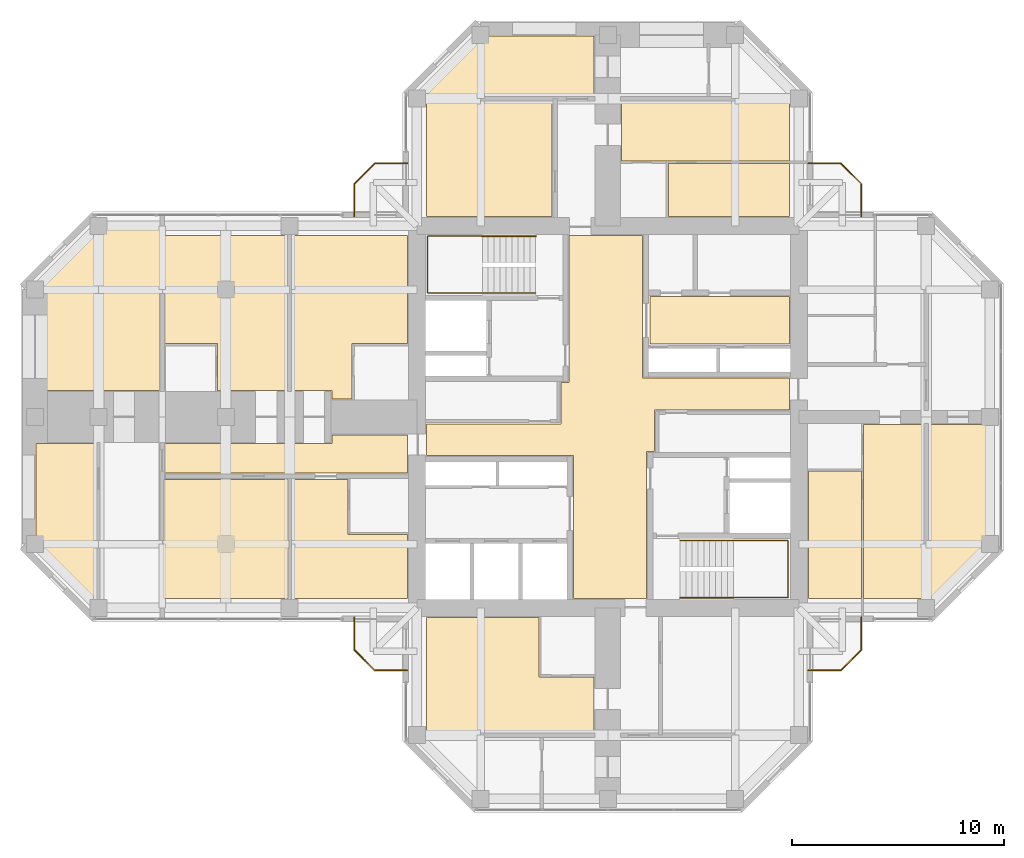
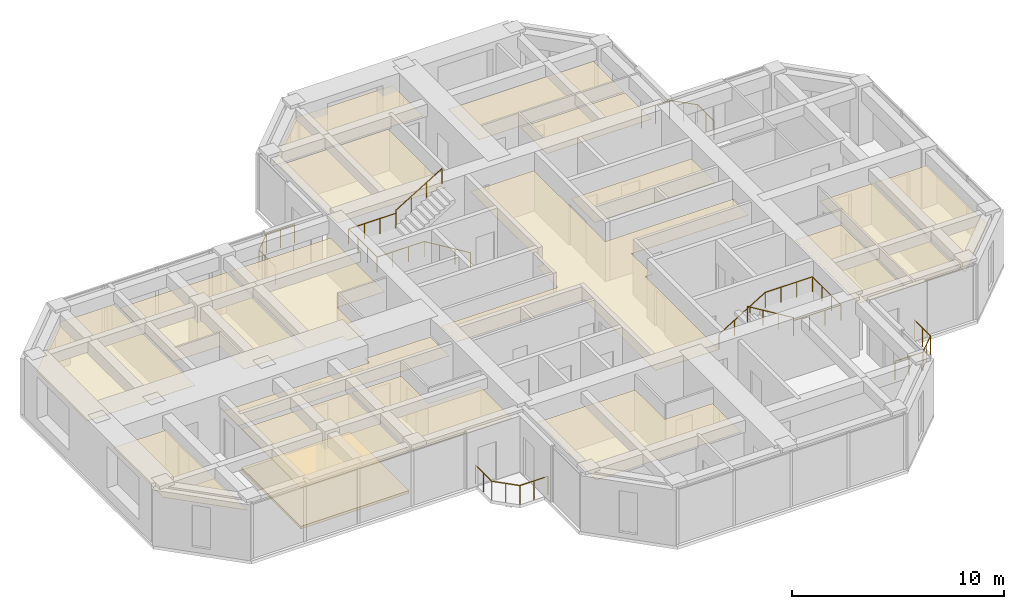
# One storey, part 13 of 13: 18 coverings, 8 railings.
"""IFC4 building model written with IfcOpenShell, lengths in metres."""

from ifc_helpers import new_model, si_unit, direction, frame, origin, origin_2d, place, context, subcontext, project, spatial, polyline, circle, outline, extrude, material, layer, layer_set, constituent, constituent_set, type_object, element, save


model = new_model("IFC4")

# Units and contexts
model_context = context("Model", 3, precision=1e-05, world=origin(), true_north=direction((0.0, 1.0)))
body_context = subcontext(model_context, "Body", "Model", "MODEL_VIEW")
ifc_project = project(units=[si_unit("LENGTHUNIT", "METRE"), si_unit("AREAUNIT", "SQUARE_METRE"), si_unit("VOLUMEUNIT", "CUBIC_METRE"), si_unit("PLANEANGLEUNIT", "RADIAN"), si_unit("MASSUNIT", "GRAM", prefix="KILO")], contexts=[model_context])

# Site, building, storey
site_placement = place(None, origin())
site = spatial("IfcSite", under=ifc_project, at=site_placement, CompositionType="ELEMENT")
building_placement = place(site_placement, origin())
building = spatial("IfcBuilding", under=site, at=building_placement, Name="Torre Cruceta", CompositionType="ELEMENT")
storey_placement = place(building_placement, frame((0.0, 0.0, 245.89990234375)))
storey = spatial("IfcBuildingStorey", under=building, at=storey_placement, Name="L63", CompositionType="ELEMENT", Elevation=245.89990234375)

# Railings
ifc_material_1 = material(Name="Stainless steel 1.4401", Category="steel")
ifc_constituent_1 = constituent(ifc_material_1, Name="Frame")
ifc_material_2 = material(Name="Laminated safety glass", Category="glass")
ifc_constituent_2 = constituent(ifc_material_2, Name="Infill")
ifc_constituent_set_1 = constituent_set(constituents=[ifc_constituent_1, ifc_constituent_2], Name="Stainless steel and laminated glass balustrade")
railing_type_1 = type_object("IfcRailingType", Name="BALCONY BALUSTRADE 1100", PredefinedType="BALUSTRADE", material=ifc_constituent_set_1)
railing_1_placement = place(storey_placement, frame((-9.449951171875, 11.949951171875, 0.0)))
element("IfcRailing", 1, at=railing_1_placement, inside=storey, type_object=railing_type_1, Name="BL1 balcony balustrade L63 N", PredefinedType="BALUSTRADE", context=body_context, shape_type="SweptSolid", body=[
    extrude(circle(Radius=0.02392578125, at=origin_2d()), frame((0.0, 0.0, 1.076171875), z_axis=(-1.0, 0.0, 0.0), x_axis=(0.0, -1.0, 0.0)), (0.0, 0.0, 1.0), 1.529296875),
    extrude(circle(Radius=0.02392578125, at=origin_2d()), frame((-1.529296875, 0.0, 1.076171875), z_axis=(-0.707106781187, -0.707106781187, 0.0), x_axis=(0.707106781187, -0.707106781187, 0.0)), (0.0, 0.0, 1.0), 1.372802734375),
    extrude(circle(Radius=0.02392578125, at=origin_2d()), frame((-2.5, -0.970703125, 1.076171875), z_axis=(0.0, -1.0, 0.0), x_axis=(1.0, 0.0, 0.0)), (0.0, 0.0, 1.0), 1.529296875),
    extrude(circle(Radius=0.02099609375, at=origin_2d()), origin(), (0.0, 0.0, 1.0), 1.052001953125),
    extrude(circle(Radius=0.02099609375, at=origin_2d()), frame((-0.7646484375, 0.0, 0.0)), (0.0, 0.0, 1.0), 1.052001953125),
    extrude(circle(Radius=0.02099609375, at=origin_2d()), frame((-1.529296875, 0.0, 0.0)), (0.0, 0.0, 1.0), 1.052001953125),
    extrude(circle(Radius=0.02099609375, at=origin_2d()), frame((-2.0146484375, -0.4853515625, 0.0)), (0.0, 0.0, 1.0), 1.052001953125),
    extrude(circle(Radius=0.02099609375, at=origin_2d()), frame((-2.5, -0.970703125, 0.0)), (0.0, 0.0, 1.0), 1.052001953125),
    extrude(circle(Radius=0.02099609375, at=origin_2d()), frame((-2.5, -1.7353515625, 0.0)), (0.0, 0.0, 1.0), 1.052001953125),
    extrude(circle(Radius=0.02099609375, at=origin_2d()), frame((-2.5, -2.5, 0.0)), (0.0, 0.0, 1.0), 1.052001953125),
])
railing_2_placement = place(storey_placement, frame((9.449951171875, 11.949951171875, 0.0)))
element("IfcRailing", 2, at=railing_2_placement, inside=storey, type_object=railing_type_1, Name="BL1 balcony balustrade L63 E", PredefinedType="BALUSTRADE", context=body_context, shape_type="SweptSolid", body=[
    extrude(circle(Radius=0.02392578125, at=origin_2d()), frame((0.0, 0.0, 1.076171875), z_axis=(1.0, 0.0, 0.0), x_axis=(0.0, 1.0, 0.0)), (0.0, 0.0, 1.0), 1.529296875),
    extrude(circle(Radius=0.02392578125, at=origin_2d()), frame((1.529296875, 0.0, 1.076171875), z_axis=(0.707106781187, -0.707106781187, 0.0), x_axis=(0.707106781187, 0.707106781187, 0.0)), (0.0, 0.0, 1.0), 1.372802734375),
    extrude(circle(Radius=0.02392578125, at=origin_2d()), frame((2.5, -0.970703125, 1.076171875), z_axis=(0.0, -1.0, 0.0), x_axis=(1.0, 0.0, 0.0)), (0.0, 0.0, 1.0), 1.529296875),
    extrude(circle(Radius=0.02099609375, at=origin_2d()), origin(), (0.0, 0.0, 1.0), 1.052001953125),
    extrude(circle(Radius=0.02099609375, at=origin_2d()), frame((0.7646484375, 0.0, 0.0)), (0.0, 0.0, 1.0), 1.052001953125),
    extrude(circle(Radius=0.02099609375, at=origin_2d()), frame((1.529296875, 0.0, 0.0)), (0.0, 0.0, 1.0), 1.052001953125),
    extrude(circle(Radius=0.02099609375, at=origin_2d()), frame((2.0146484375, -0.4853515625, 0.0)), (0.0, 0.0, 1.0), 1.052001953125),
    extrude(circle(Radius=0.02099609375, at=origin_2d()), frame((2.5, -0.970703125, 0.0)), (0.0, 0.0, 1.0), 1.052001953125),
    extrude(circle(Radius=0.02099609375, at=origin_2d()), frame((2.5, -1.7353515625, 0.0)), (0.0, 0.0, 1.0), 1.052001953125),
    extrude(circle(Radius=0.02099609375, at=origin_2d()), frame((2.5, -2.5, 0.0)), (0.0, 0.0, 1.0), 1.052001953125),
])
railing_3_placement = place(storey_placement, frame((9.449951171875, -11.949951171875, 0.0)))
element("IfcRailing", 3, at=railing_3_placement, inside=storey, type_object=railing_type_1, Name="BL1 balcony balustrade L63 S", PredefinedType="BALUSTRADE", context=body_context, shape_type="SweptSolid", body=[
    extrude(circle(Radius=0.02392578125, at=origin_2d()), frame((0.0, 0.0, 1.076171875), z_axis=(1.0, 0.0, 0.0), x_axis=(0.0, 1.0, 0.0)), (0.0, 0.0, 1.0), 1.529296875),
    extrude(circle(Radius=0.02392578125, at=origin_2d()), frame((1.529296875, 0.0, 1.076171875), z_axis=(0.707106781187, 0.707106781187, 0.0), x_axis=(-0.707106781187, 0.707106781187, 0.0)), (0.0, 0.0, 1.0), 1.372802734375),
    extrude(circle(Radius=0.02392578125, at=origin_2d()), frame((2.5, 0.970703125, 1.076171875), z_axis=(0.0, 1.0, 0.0), x_axis=(-1.0, 0.0, 0.0)), (0.0, 0.0, 1.0), 1.529296875),
    extrude(circle(Radius=0.02099609375, at=origin_2d()), origin(), (0.0, 0.0, 1.0), 1.052001953125),
    extrude(circle(Radius=0.02099609375, at=origin_2d()), frame((0.7646484375, 0.0, 0.0)), (0.0, 0.0, 1.0), 1.052001953125),
    extrude(circle(Radius=0.02099609375, at=origin_2d()), frame((1.529296875, 0.0, 0.0)), (0.0, 0.0, 1.0), 1.052001953125),
    extrude(circle(Radius=0.02099609375, at=origin_2d()), frame((2.0146484375, 0.4853515625, 0.0)), (0.0, 0.0, 1.0), 1.052001953125),
    extrude(circle(Radius=0.02099609375, at=origin_2d()), frame((2.5, 0.970703125, 0.0)), (0.0, 0.0, 1.0), 1.052001953125),
    extrude(circle(Radius=0.02099609375, at=origin_2d()), frame((2.5, 1.7353515625, 0.0)), (0.0, 0.0, 1.0), 1.052001953125),
    extrude(circle(Radius=0.02099609375, at=origin_2d()), frame((2.5, 2.5, 0.0)), (0.0, 0.0, 1.0), 1.052001953125),
])
railing_4_placement = place(storey_placement, frame((-9.449951171875, -11.949951171875, 0.0)))
element("IfcRailing", 4, at=railing_4_placement, inside=storey, type_object=railing_type_1, Name="BL1 balcony balustrade L63 W", PredefinedType="BALUSTRADE", context=body_context, shape_type="SweptSolid", body=[
    extrude(circle(Radius=0.02392578125, at=origin_2d()), frame((0.0, 0.0, 1.076171875), z_axis=(-1.0, 0.0, 0.0), x_axis=(0.0, -1.0, 0.0)), (0.0, 0.0, 1.0), 1.529296875),
    extrude(circle(Radius=0.02392578125, at=origin_2d()), frame((-1.529296875, 0.0, 1.076171875), z_axis=(-0.707106781187, 0.707106781187, 0.0), x_axis=(-0.707106781187, -0.707106781187, 0.0)), (0.0, 0.0, 1.0), 1.372802734375),
    extrude(circle(Radius=0.02392578125, at=origin_2d()), frame((-2.5, 0.970703125, 1.076171875), z_axis=(0.0, 1.0, 0.0), x_axis=(-1.0, 0.0, 0.0)), (0.0, 0.0, 1.0), 1.529296875),
    extrude(circle(Radius=0.02099609375, at=origin_2d()), origin(), (0.0, 0.0, 1.0), 1.052001953125),
    extrude(circle(Radius=0.02099609375, at=origin_2d()), frame((-0.7646484375, 0.0, 0.0)), (0.0, 0.0, 1.0), 1.052001953125),
    extrude(circle(Radius=0.02099609375, at=origin_2d()), frame((-1.529296875, 0.0, 0.0)), (0.0, 0.0, 1.0), 1.052001953125),
    extrude(circle(Radius=0.02099609375, at=origin_2d()), frame((-2.0146484375, 0.4853515625, 0.0)), (0.0, 0.0, 1.0), 1.052001953125),
    extrude(circle(Radius=0.02099609375, at=origin_2d()), frame((-2.5, 0.970703125, 0.0)), (0.0, 0.0, 1.0), 1.052001953125),
    extrude(circle(Radius=0.02099609375, at=origin_2d()), frame((-2.5, 1.7353515625, 0.0)), (0.0, 0.0, 1.0), 1.052001953125),
    extrude(circle(Radius=0.02099609375, at=origin_2d()), frame((-2.5, 2.5, 0.0)), (0.0, 0.0, 1.0), 1.052001953125),
])
ifc_material_3 = material(Name="Stainless steel 1.4401", Category="steel")
railing_type_2 = type_object("IfcRailingType", Name="HANDRAIL 900", PredefinedType="HANDRAIL", material=ifc_material_3)
railing_5_placement = place(storey_placement, frame((-3.39990234375, 5.8349609375, 0.170166015625)))
element("IfcRailing", 5, at=railing_5_placement, inside=storey, type_object=railing_type_2, Name="Handrail HR1 ST1 L63", PredefinedType="HANDRAIL", context=body_context, shape_type="SweptSolid", body=[
    extrude(circle(Radius=0.02392578125, at=origin_2d()), frame((0.0, 0.0, 0.8759765625), z_axis=(-0.85478489116, 0.0, 0.518982456201), x_axis=(0.0, -1.0, 0.0)), (0.0, 0.0, 1.0), 2.9482421875),
    extrude(circle(Radius=0.02392578125, at=origin_2d()), frame((-2.52001953125, 0.0, 2.40576171875), z_axis=(-1.0, 0.0, 0.0), x_axis=(0.0, -1.0, 0.0)), (0.0, 0.0, 1.0), 2.570068359375),
    extrude(circle(Radius=0.02392578125, at=origin_2d()), frame((-5.090087890625, 0.0, 2.40576171875), z_axis=(0.0, 1.0, 0.0), x_axis=(-1.0, 0.0, 0.0)), (0.0, 0.0, 1.0), 2.679931640625),
    extrude(circle(Radius=0.02392578125, at=origin_2d()), frame((-5.090087890625, 2.679931640625, 2.40576171875), z_axis=(1.0, 0.0, 0.0), x_axis=(0.0, 1.0, 0.0)), (0.0, 0.0, 1.0), 2.570068359375),
    extrude(circle(Radius=0.02099609375, at=origin_2d()), origin(), (0.0, 0.0, 1.0), 0.851806640625),
    extrude(circle(Radius=0.02099609375, at=origin_2d()), frame((-0.840087890625, 0.0, 0.510009765625)), (0.0, 0.0, 1.0), 0.851806640625),
    extrude(circle(Radius=0.02099609375, at=origin_2d()), frame((-1.679931640625, 0.0, 1.02001953125)), (0.0, 0.0, 1.0), 0.851806640625),
    extrude(circle(Radius=0.02099609375, at=origin_2d()), frame((-2.52001953125, 0.0, 1.530029296875)), (0.0, 0.0, 1.0), 0.851806640625),
    extrude(circle(Radius=0.02099609375, at=origin_2d()), frame((-3.376708984375, 0.0, 1.530029296875)), (0.0, 0.0, 1.0), 0.851806640625),
    extrude(circle(Radius=0.02099609375, at=origin_2d()), frame((-4.2333984375, 0.0, 1.530029296875)), (0.0, 0.0, 1.0), 0.851806640625),
    extrude(circle(Radius=0.02099609375, at=origin_2d()), frame((-5.090087890625, 0.0, 1.530029296875)), (0.0, 0.0, 1.0), 0.851806640625),
    extrude(circle(Radius=0.02099609375, at=origin_2d()), frame((-5.090087890625, 0.893310546875, 1.530029296875)), (0.0, 0.0, 1.0), 0.851806640625),
    extrude(circle(Radius=0.02099609375, at=origin_2d()), frame((-5.090087890625, 1.78662109375, 1.530029296875)), (0.0, 0.0, 1.0), 0.851806640625),
    extrude(circle(Radius=0.02099609375, at=origin_2d()), frame((-5.090087890625, 2.679931640625, 1.530029296875)), (0.0, 0.0, 1.0), 0.851806640625),
    extrude(circle(Radius=0.02099609375, at=origin_2d()), frame((-4.2333984375, 2.679931640625, 1.530029296875)), (0.0, 0.0, 1.0), 0.851806640625),
    extrude(circle(Radius=0.02099609375, at=origin_2d()), frame((-3.376708984375, 2.679931640625, 1.530029296875)), (0.0, 0.0, 1.0), 0.851806640625),
    extrude(circle(Radius=0.02099609375, at=origin_2d()), frame((-2.52001953125, 2.679931640625, 1.530029296875)), (0.0, 0.0, 1.0), 0.851806640625),
])
railing_6_placement = place(storey_placement, frame((-5.919921875, 8.514892578125, 1.8701171875)))
element("IfcRailing", 6, at=railing_6_placement, inside=storey, type_object=railing_type_2, Name="Handrail HR1 ST1 L63", PredefinedType="HANDRAIL", context=body_context, shape_type="SweptSolid", body=[
    extrude(circle(Radius=0.02392578125, at=origin_2d()), frame((0.0, 0.0, 0.8759765625), z_axis=(0.85478489116, 0.0, 0.518982456201), x_axis=(0.0, 1.0, 0.0)), (0.0, 0.0, 1.0), 2.9482421875),
    extrude(circle(Radius=0.02099609375, at=origin_2d()), origin(), (0.0, 0.0, 1.0), 0.851806640625),
    extrude(circle(Radius=0.02099609375, at=origin_2d()), frame((0.840087890625, 0.0, 0.510009765625)), (0.0, 0.0, 1.0), 0.851806640625),
    extrude(circle(Radius=0.02099609375, at=origin_2d()), frame((1.679931640625, 0.0, 1.02001953125)), (0.0, 0.0, 1.0), 0.851806640625),
    extrude(circle(Radius=0.02099609375, at=origin_2d()), frame((2.52001953125, 0.0, 1.530029296875)), (0.0, 0.0, 1.0), 0.851806640625),
])
railing_7_placement = place(storey_placement, frame((3.39990234375, -5.8349609375, 0.170166015625)))
element("IfcRailing", 7, at=railing_7_placement, inside=storey, type_object=railing_type_2, Name="Handrail HR1 ST2 L63", PredefinedType="HANDRAIL", context=body_context, shape_type="SweptSolid", body=[
    extrude(circle(Radius=0.02392578125, at=origin_2d()), frame((0.0, 0.0, 0.8759765625), z_axis=(0.85478489116, 0.0, 0.518982456201), x_axis=(0.0, 1.0, 0.0)), (0.0, 0.0, 1.0), 2.9482421875),
    extrude(circle(Radius=0.02392578125, at=origin_2d()), frame((2.52001953125, 0.0, 2.40576171875), z_axis=(1.0, 0.0, 0.0), x_axis=(0.0, 1.0, 0.0)), (0.0, 0.0, 1.0), 2.570068359375),
    extrude(circle(Radius=0.02392578125, at=origin_2d()), frame((5.090087890625, 0.0, 2.40576171875), z_axis=(0.0, -1.0, 0.0), x_axis=(1.0, 0.0, 0.0)), (0.0, 0.0, 1.0), 2.679931640625),
    extrude(circle(Radius=0.02392578125, at=origin_2d()), frame((5.090087890625, -2.679931640625, 2.40576171875), z_axis=(-1.0, 0.0, 0.0), x_axis=(0.0, -1.0, 0.0)), (0.0, 0.0, 1.0), 2.570068359375),
    extrude(circle(Radius=0.02099609375, at=origin_2d()), origin(), (0.0, 0.0, 1.0), 0.851806640625),
    extrude(circle(Radius=0.02099609375, at=origin_2d()), frame((0.840087890625, 0.0, 0.510009765625)), (0.0, 0.0, 1.0), 0.851806640625),
    extrude(circle(Radius=0.02099609375, at=origin_2d()), frame((1.679931640625, 0.0, 1.02001953125)), (0.0, 0.0, 1.0), 0.851806640625),
    extrude(circle(Radius=0.02099609375, at=origin_2d()), frame((2.52001953125, 0.0, 1.530029296875)), (0.0, 0.0, 1.0), 0.851806640625),
    extrude(circle(Radius=0.02099609375, at=origin_2d()), frame((3.376708984375, 0.0, 1.530029296875)), (0.0, 0.0, 1.0), 0.851806640625),
    extrude(circle(Radius=0.02099609375, at=origin_2d()), frame((4.2333984375, 0.0, 1.530029296875)), (0.0, 0.0, 1.0), 0.851806640625),
    extrude(circle(Radius=0.02099609375, at=origin_2d()), frame((5.090087890625, 0.0, 1.530029296875)), (0.0, 0.0, 1.0), 0.851806640625),
    extrude(circle(Radius=0.02099609375, at=origin_2d()), frame((5.090087890625, -0.893310546875, 1.530029296875)), (0.0, 0.0, 1.0), 0.851806640625),
    extrude(circle(Radius=0.02099609375, at=origin_2d()), frame((5.090087890625, -1.78662109375, 1.530029296875)), (0.0, 0.0, 1.0), 0.851806640625),
    extrude(circle(Radius=0.02099609375, at=origin_2d()), frame((5.090087890625, -2.679931640625, 1.530029296875)), (0.0, 0.0, 1.0), 0.851806640625),
    extrude(circle(Radius=0.02099609375, at=origin_2d()), frame((4.2333984375, -2.679931640625, 1.530029296875)), (0.0, 0.0, 1.0), 0.851806640625),
    extrude(circle(Radius=0.02099609375, at=origin_2d()), frame((3.376708984375, -2.679931640625, 1.530029296875)), (0.0, 0.0, 1.0), 0.851806640625),
    extrude(circle(Radius=0.02099609375, at=origin_2d()), frame((2.52001953125, -2.679931640625, 1.530029296875)), (0.0, 0.0, 1.0), 0.851806640625),
])
railing_8_placement = place(storey_placement, frame((5.919921875, -8.514892578125, 1.8701171875)))
element("IfcRailing", 8, at=railing_8_placement, inside=storey, type_object=railing_type_2, Name="Handrail HR1 ST2 L63", PredefinedType="HANDRAIL", context=body_context, shape_type="SweptSolid", body=[
    extrude(circle(Radius=0.02392578125, at=origin_2d()), frame((0.0, 0.0, 0.8759765625), z_axis=(-0.85478489116, 0.0, 0.518982456201), x_axis=(0.0, -1.0, 0.0)), (0.0, 0.0, 1.0), 2.9482421875),
    extrude(circle(Radius=0.02099609375, at=origin_2d()), origin(), (0.0, 0.0, 1.0), 0.851806640625),
    extrude(circle(Radius=0.02099609375, at=origin_2d()), frame((-0.840087890625, 0.0, 0.510009765625)), (0.0, 0.0, 1.0), 0.851806640625),
    extrude(circle(Radius=0.02099609375, at=origin_2d()), frame((-1.679931640625, 0.0, 1.02001953125)), (0.0, 0.0, 1.0), 0.851806640625),
    extrude(circle(Radius=0.02099609375, at=origin_2d()), frame((-2.52001953125, 0.0, 1.530029296875)), (0.0, 0.0, 1.0), 0.851806640625),
])

# Coverings
ifc_material_4 = material(Name="Steel DX51D", Category="steel")
ifc_constituent_3 = constituent(ifc_material_4, Name="Panel casing")
ifc_material_5 = material(Name="Calcium sulphate", Category="gypsum")
ifc_constituent_4 = constituent(ifc_material_5, Name="Panel core")
ifc_constituent_set_2 = constituent_set(constituents=[ifc_constituent_3, ifc_constituent_4], Name="Raised access floor panel")
covering_type_1 = type_object("IfcCoveringType", Name="RAISED ACCESS FLOOR 150", PredefinedType="FLOORING", material=ifc_constituent_set_2)
covering_1_placement = place(storey_placement, origin())
element("IfcCovering", 9, at=covering_1_placement, inside=storey, type_object=covering_type_1, Name="Raised floor L63-052", PredefinedType="FLOORING", context=body_context, shape_type="SweptSolid", body=[
    extrude(outline(polyline([(-15.050048828125, -2.949951171875), (-15.050048828125, -8.550048828125), (-20.949951171875, -8.550048828125), (-20.949951171875, -2.949951171875), (-15.050048828125, -2.949951171875)])), origin(), (0.0, 0.0, 1.0), 0.150146484375),
])
ifc_material_6 = material(Name="Mineral fibre ceiling tile", Category="gypsum")
ifc_layer = layer(ifc_material_6, 0.02001953125)
ifc_layer_set = layer_set([ifc_layer], Name="Mineral fibre ceiling tile")
covering_type_2 = type_object("IfcCoveringType", Name="SUSPENDED CEILING 20", PredefinedType="CEILING", material=ifc_layer_set)
covering_2_placement = place(storey_placement, frame((0.0, 0.0, 2.35009765625)))
element("IfcCovering", 10, at=covering_2_placement, inside=storey, type_object=covering_type_2, Name="Ceiling L63-003", PredefinedType="CEILING", context=body_context, shape_type="SweptSolid", body=[
    extrude(outline(polyline([(1.824951171875, -8.550048828125), (-1.625, -8.550048828125), (-1.625, -1.824951171875), (-8.550048828125, -1.824951171875), (-8.550048828125, -0.324951171875), (-2.199951171875, -0.324951171875), (-2.199951171875, 1.625), (-1.824951171875, 1.625), (-1.824951171875, 8.550048828125), (1.625, 8.550048828125), (1.625, 1.824951171875), (8.550048828125, 1.824951171875), (8.550048828125, 0.324951171875), (2.199951171875, 0.324951171875), (2.199951171875, -1.625), (1.824951171875, -1.625), (1.824951171875, -8.550048828125)])), origin(), (0.0, 0.0, 1.0), 0.02001953125),
])
covering_3_placement = place(storey_placement, frame((0.0, 0.0, 2.35009765625)))
element("IfcCovering", 11, at=covering_3_placement, inside=storey, type_object=covering_type_2, Name="Ceiling L63-006", PredefinedType="CEILING", context=body_context, shape_type="SweptSolid", body=[
    extrude(outline(polyline([(1.97509765625, 3.425048828125), (1.97509765625, 5.675048828125), (8.550048828125, 5.675048828125), (8.550048828125, 3.425048828125), (1.97509765625, 3.425048828125)])), origin(), (0.0, 0.0, 1.0), 0.02001953125),
])
covering_4_placement = place(storey_placement, frame((0.0, 0.0, 2.35009765625)))
element("IfcCovering", 12, at=covering_4_placement, inside=storey, type_object=covering_type_2, Name="Ceiling L63-024", PredefinedType="CEILING", context=body_context, shape_type="SweptSolid", body=[
    extrude(outline(polyline([(-2.625, 9.449951171875), (-8.550048828125, 9.449951171875), (-8.550048828125, 14.949951171875), (-2.625, 14.949951171875), (-2.625, 9.449951171875)])), origin(), (0.0, 0.0, 1.0), 0.02001953125),
])
covering_5_placement = place(storey_placement, frame((0.0, 0.0, 2.35009765625)))
element("IfcCovering", 13, at=covering_5_placement, inside=storey, type_object=covering_type_2, Name="Ceiling L63-025", PredefinedType="CEILING", context=body_context, shape_type="SweptSolid", body=[
    extrude(outline(polyline([(8.550048828125, 14.949951171875), (8.550048828125, 12.050048828125), (0.64990234375, 12.050048828125), (0.64990234375, 14.949951171875), (8.550048828125, 14.949951171875)])), origin(), (0.0, 0.0, 1.0), 0.02001953125),
])
covering_6_placement = place(storey_placement, frame((0.0, 0.0, 2.35009765625)))
element("IfcCovering", 14, at=covering_6_placement, inside=storey, type_object=covering_type_2, Name="Ceiling L63-026", PredefinedType="CEILING", context=body_context, shape_type="SweptSolid", body=[
    extrude(outline(polyline([(8.550048828125, 9.449951171875), (2.85009765625, 9.449951171875), (2.85009765625, 11.949951171875), (8.550048828125, 11.949951171875), (8.550048828125, 9.449951171875)])), origin(), (0.0, 0.0, 1.0), 0.02001953125),
])
covering_7_placement = place(storey_placement, frame((0.0, 0.0, 2.35009765625)))
element("IfcCovering", 15, at=covering_7_placement, inside=storey, type_object=covering_type_2, Name="Ceiling L63-028", PredefinedType="CEILING", context=body_context, shape_type="SweptSolid", body=[
    extrude(outline(polyline([(-5.979248046875, 17.949951171875), (-0.64990234375, 17.949951171875), (-0.64990234375, 15.050048828125), (-8.87939453125, 15.050048828125), (-5.979248046875, 17.949951171875)])), origin(), (0.0, 0.0, 1.0), 0.02001953125),
])
covering_8_placement = place(storey_placement, frame((0.0, 0.0, 2.35009765625)))
element("IfcCovering", 16, at=covering_8_placement, inside=storey, type_object=covering_type_2, Name="Ceiling L63-035", PredefinedType="CEILING", context=body_context, shape_type="SweptSolid", body=[
    extrude(outline(polyline([(14.949951171875, -8.550048828125), (12.050048828125, -8.550048828125), (12.050048828125, -0.35009765625), (14.949951171875, -0.35009765625), (14.949951171875, -8.550048828125)])), origin(), (0.0, 0.0, 1.0), 0.02001953125),
])
covering_9_placement = place(storey_placement, frame((0.0, 0.0, 2.35009765625)))
element("IfcCovering", 17, at=covering_9_placement, inside=storey, type_object=covering_type_2, Name="Ceiling L63-036", PredefinedType="CEILING", context=body_context, shape_type="SweptSolid", body=[
    extrude(outline(polyline([(9.449951171875, -8.550048828125), (9.449951171875, -2.550048828125), (11.949951171875, -2.550048828125), (11.949951171875, -8.550048828125), (9.449951171875, -8.550048828125)])), origin(), (0.0, 0.0, 1.0), 0.02001953125),
])
covering_10_placement = place(storey_placement, frame((0.0, 0.0, 2.35009765625)))
element("IfcCovering", 18, at=covering_10_placement, inside=storey, type_object=covering_type_2, Name="Ceiling L63-039", PredefinedType="CEILING", context=body_context, shape_type="SweptSolid", body=[
    extrude(outline(polyline([(15.050048828125, -8.87939453125), (15.050048828125, -0.35009765625), (17.949951171875, -0.35009765625), (17.949951171875, -5.979248046875), (15.050048828125, -8.87939453125)])), origin(), (0.0, 0.0, 1.0), 0.02001953125),
])
covering_11_placement = place(storey_placement, frame((0.0, 0.0, 2.35009765625)))
element("IfcCovering", 19, at=covering_11_placement, inside=storey, type_object=covering_type_2, Name="Ceiling L63-042", PredefinedType="CEILING", context=body_context, shape_type="SweptSolid", body=[
    extrude(outline(polyline([(-0.64990234375, -14.949951171875), (-8.550048828125, -14.949951171875), (-8.550048828125, -9.449951171875), (-3.25, -9.449951171875), (-3.25, -12.25), (-0.64990234375, -12.25), (-0.64990234375, -14.949951171875)])), origin(), (0.0, 0.0, 1.0), 0.02001953125),
])
covering_12_placement = place(storey_placement, frame((0.0, 0.0, 2.35009765625)))
element("IfcCovering", 20, at=covering_12_placement, inside=storey, type_object=covering_type_2, Name="Ceiling L63-047", PredefinedType="CEILING", context=body_context, shape_type="SweptSolid", body=[
    extrude(outline(polyline([(-9.449951171875, -0.85009765625), (-9.449951171875, -2.64990234375), (-20.949951171875, -2.64990234375), (-20.949951171875, -1.25), (-13.0, -1.25), (-13.0, -0.85009765625), (-9.449951171875, -0.85009765625)])), origin(), (0.0, 0.0, 1.0), 0.02001953125),
])
covering_13_placement = place(storey_placement, frame((0.0, 0.0, 2.35009765625)))
element("IfcCovering", 21, at=covering_13_placement, inside=storey, type_object=covering_type_2, Name="Ceiling L63-048", PredefinedType="CEILING", context=body_context, shape_type="SweptSolid", body=[
    extrude(outline(polyline([(-9.449951171875, -8.550048828125), (-14.949951171875, -8.550048828125), (-14.949951171875, -2.949951171875), (-12.25, -2.949951171875), (-12.25, -5.550048828125), (-9.449951171875, -5.550048828125), (-9.449951171875, -8.550048828125)])), origin(), (0.0, 0.0, 1.0), 0.02001953125),
])
covering_14_placement = place(storey_placement, frame((0.0, 0.0, 2.35009765625)))
element("IfcCovering", 22, at=covering_14_placement, inside=storey, type_object=covering_type_2, Name="Ceiling L63-050", PredefinedType="CEILING", context=body_context, shape_type="SweptSolid", body=[
    extrude(outline(polyline([(-14.949951171875, 8.550048828125), (-9.449951171875, 8.550048828125), (-9.449951171875, 3.449951171875), (-12.050048828125, 3.449951171875), (-12.050048828125, 0.85009765625), (-13.0, 0.85009765625), (-13.0, 1.25), (-14.949951171875, 1.25), (-14.949951171875, 8.550048828125)])), origin(), (0.0, 0.0, 1.0), 0.02001953125),
])
covering_15_placement = place(storey_placement, frame((0.0, 0.0, 2.35009765625)))
element("IfcCovering", 23, at=covering_15_placement, inside=storey, type_object=covering_type_2, Name="Ceiling L63-052", PredefinedType="CEILING", context=body_context, shape_type="SweptSolid", body=[
    extrude(outline(polyline([(-15.050048828125, -2.949951171875), (-15.050048828125, -8.550048828125), (-20.949951171875, -8.550048828125), (-20.949951171875, -2.949951171875), (-15.050048828125, -2.949951171875)])), origin(), (0.0, 0.0, 1.0), 0.02001953125),
])
covering_16_placement = place(storey_placement, frame((0.0, 0.0, 2.35009765625)))
element("IfcCovering", 24, at=covering_16_placement, inside=storey, type_object=covering_type_2, Name="Ceiling L63-053", PredefinedType="CEILING", context=body_context, shape_type="SweptSolid", body=[
    extrude(outline(polyline([(-15.050048828125, 8.550048828125), (-15.050048828125, 1.25), (-18.39990234375, 1.25), (-18.39990234375, 3.449951171875), (-20.949951171875, 3.449951171875), (-20.949951171875, 8.550048828125), (-15.050048828125, 8.550048828125)])), origin(), (0.0, 0.0, 1.0), 0.02001953125),
])
covering_17_placement = place(storey_placement, frame((0.0, 0.0, 2.35009765625)))
element("IfcCovering", 25, at=covering_17_placement, inside=storey, type_object=covering_type_2, Name="Ceiling L63-056", PredefinedType="CEILING", context=body_context, shape_type="SweptSolid", body=[
    extrude(outline(polyline([(-26.949951171875, -1.25), (-24.050048828125, -1.25), (-24.050048828125, -8.87939453125), (-26.949951171875, -5.979248046875), (-26.949951171875, -1.25)])), origin(), (0.0, 0.0, 1.0), 0.02001953125),
])
covering_18_placement = place(storey_placement, frame((0.0, 0.0, 2.35009765625)))
element("IfcCovering", 26, at=covering_18_placement, inside=storey, type_object=covering_type_2, Name="Ceiling L63-057", PredefinedType="CEILING", context=body_context, shape_type="SweptSolid", body=[
    extrude(outline(polyline([(-23.979248046875, 8.949951171875), (-21.050048828125, 8.949951171875), (-21.050048828125, 1.25), (-26.949951171875, 1.25), (-26.949951171875, 5.979248046875), (-23.979248046875, 8.949951171875)])), origin(), (0.0, 0.0, 1.0), 0.02001953125),
])

save(model, "model.ifc")
